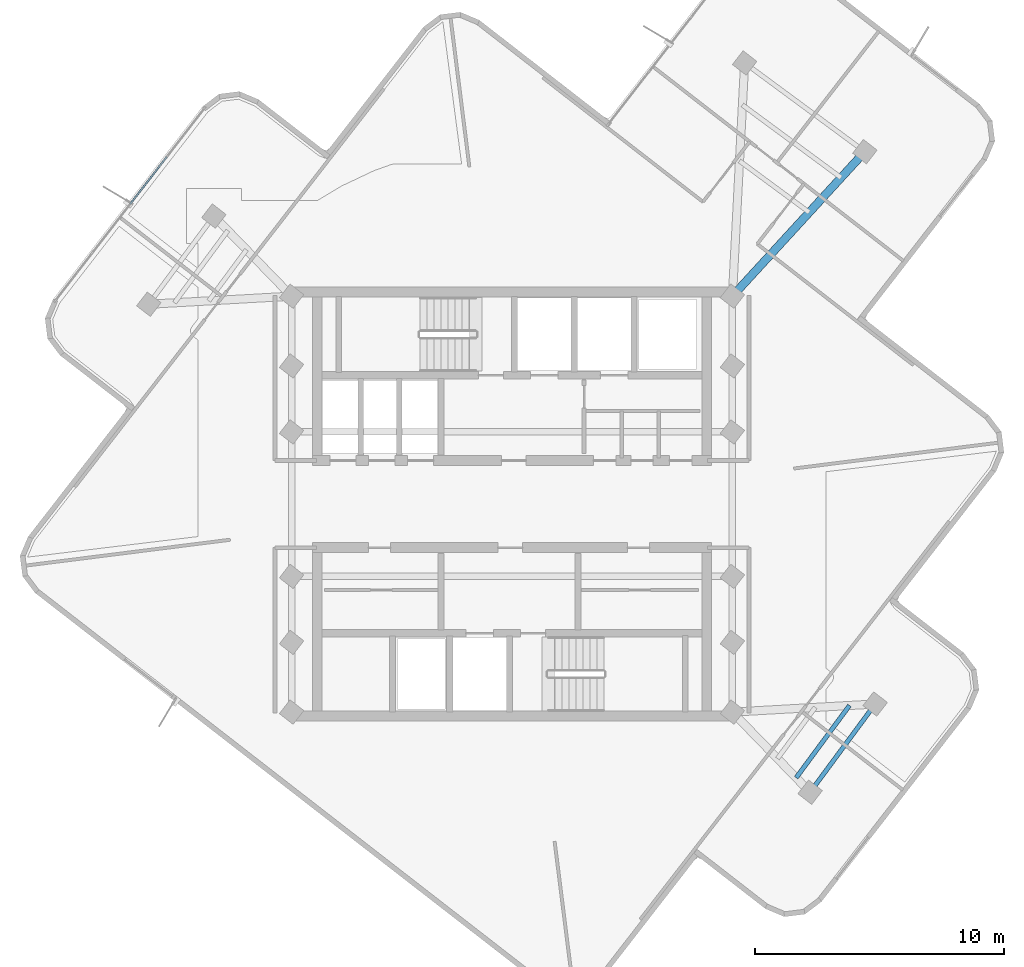
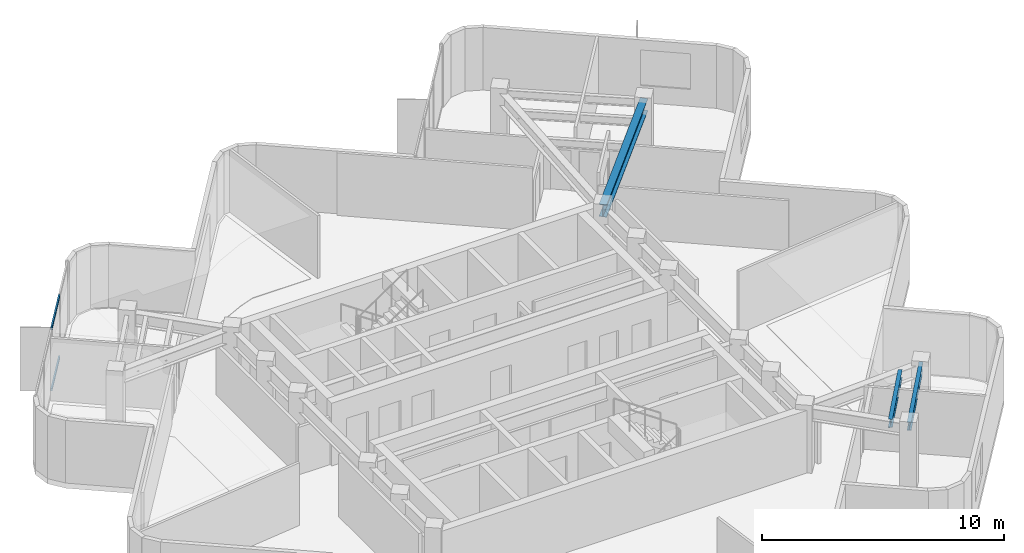
# One storey, part 3 of 10: 3 beams, 2 members, 1 element without a shape of its own.
"""IFC4 building model written with IfcOpenShell, lengths in metres."""

from ifc_helpers import new_model, si_unit, direction, frame, origin, origin_2d, place, context, subcontext, project, spatial, rectangle, i_section, extrude, material, layer, layer_set, material_profile, profile_set, type_object, element, aggregate, save


model = new_model("IFC4")

# Units and contexts
model_context = context("Model", 3, precision=1e-05, world=origin(), true_north=direction((0.0, 1.0)))
body_context = subcontext(model_context, "Body", "Model", "MODEL_VIEW")
ifc_project = project(units=[si_unit("LENGTHUNIT", "METRE"), si_unit("AREAUNIT", "SQUARE_METRE"), si_unit("VOLUMEUNIT", "CUBIC_METRE"), si_unit("PLANEANGLEUNIT", "RADIAN"), si_unit("MASSUNIT", "GRAM", prefix="KILO")], contexts=[model_context])

# Site, building, storey
site_placement = place(None, origin())
site = spatial("IfcSite", under=ifc_project, at=site_placement, CompositionType="ELEMENT")
building_placement = place(site_placement, origin())
building = spatial("IfcBuilding", under=site, at=building_placement, Name="Solmarez Civic Tower", CompositionType="ELEMENT")
storey_placement = place(building_placement, frame((0.0, 0.0, 261.179931640625)))
storey = spatial("IfcBuildingStorey", under=building, at=storey_placement, Name="L70", CompositionType="ELEMENT", Elevation=261.179931640625)

# Beams
ifc_material_1 = material(Name="Steel S355", Category="steel")
ifc_material_profile_1 = material_profile(ifc_material_1, i_section(OverallWidth=0.178955078125, OverallDepth=0.409912109375, WebThickness=0.0087890625, FlangeThickness=0.014404296875, at=origin_2d()), Name="W16X45")
ifc_profile_set_1 = profile_set([ifc_material_profile_1], Name="Steel S355")
beam_type_1 = type_object("IfcBeamType", Name="BM-JS-W16X45", PredefinedType="JOIST", material=ifc_profile_set_1)
beam_1_placement = place(storey_placement, frame((11.970947265625, -11.56591796875, 2.955078125), z_axis=(0.593730834471, 0.804663716219, 0.0), x_axis=(-0.804663716219, 0.593730834471, 0.0)))
element("IfcBeam", 1, at=beam_1_placement, inside=storey, type_object=beam_type_1, Name="L70 Secondary Floor Joist BM-L70-SA-T1", PredefinedType="JOIST", context=body_context, shape_type="SweptSolid", body=[
    extrude(i_section(OverallWidth=0.178955078125, OverallDepth=0.409912109375, WebThickness=0.0087890625, FlangeThickness=0.014404296875, at=origin_2d()), origin(), (0.0, 0.0, 1.0), 4.3994140625),
])
beam_2_placement = place(storey_placement, frame((11.408935546875, -10.987060546875, 2.955078125), z_axis=(0.593734433343, 0.804661060735, 0.0), x_axis=(-0.804661060735, 0.593734433343, 0.0)))
element("IfcBeam", 2, at=beam_2_placement, inside=storey, type_object=beam_type_1, Name="L70 Secondary Floor Joist JS-L70-SA-M12", PredefinedType="JOIST", context=body_context, shape_type="SweptSolid", body=[
    extrude(i_section(OverallWidth=0.178955078125, OverallDepth=0.409912109375, WebThickness=0.0087890625, FlangeThickness=0.014404296875, at=origin_2d()), origin(), (0.0, 0.0, 1.0), 3.60791015625),
])
ifc_material_profile_2 = material_profile(ifc_material_1, i_section(OverallWidth=0.327880859375, OverallDepth=0.6220703125, WebThickness=0.015380859375, FlangeThickness=0.0244140625, at=origin_2d()), Name="W24X131")
ifc_profile_set_2 = profile_set([ifc_material_profile_2], Name="Steel S355")
beam_type_2 = type_object("IfcBeamType", Name="BM-PR-W24X131", PredefinedType="BEAM", material=ifc_profile_set_2)
beam_3_placement = place(storey_placement, frame((8.85009765625, 8.35009765625, 2.84912109375), z_axis=(0.67574850583, 0.737132251953, 0.0), x_axis=(-0.737132251953, 0.67574850583, 0.0)))
element("IfcBeam", 3, at=beam_3_placement, inside=storey, type_object=beam_type_2, Name="L70 Primary Floor Beam BM-L70-EA-R1A", PredefinedType="BEAM", context=body_context, shape_type="SweptSolid", body=[
    extrude(i_section(OverallWidth=0.327880859375, OverallDepth=0.6220703125, WebThickness=0.015380859375, FlangeThickness=0.0244140625, at=origin_2d()), origin(), (0.0, 0.0, 1.0), 7.87109375),
])

# Curtain wall, members
ifc_material_2 = material(Name="Bronze Anodised Aluminium EN AW-6063 T6", Category="aluminium")
ifc_layer = layer(ifc_material_2, 0.1650390625)
ifc_layer_set = layer_set([ifc_layer], Name="Bronze Anodised Aluminium EN AW-6063 T6")
curtain_wall_type = type_object("IfcCurtainWallType", Name="CW-SYS-4", PredefinedType="NOTDEFINED", material=ifc_layer_set)
curtain_wall_placement = place(storey_placement, origin())
curtain_wall = element("IfcCurtainWall", 4, at=curtain_wall_placement, inside=storey, type_object=curtain_wall_type, Name="L70 Stick-Built Curtain Wall 1", PredefinedType="NOTDEFINED")
ifc_material_profile_3 = material_profile(ifc_material_2, rectangle(XDim=0.070068359375, YDim=0.139892578125, at=origin_2d()), Name="CWT-70X140")
ifc_profile_set_3 = profile_set([ifc_material_profile_3], Name="Bronze Anodised Aluminium EN AW-6063 T6")
member_type = type_object("IfcMemberType", Name="CWT-TYPE-1", PredefinedType="USERDEFINED", material=ifc_profile_set_3)
member_1_placement = place(storey_placement, frame((-15.32861328125, 12.05419921875, 0.03515625), z_axis=(0.612818324968, 0.79022382942, 0.0), x_axis=(-0.79022382942, 0.612818324968, 0.0)))
member_1 = element("IfcMember", 5, at=member_1_placement, type_object=member_type, Name="CWS4 transom 3.1", ObjectType="TRANSOM", PredefinedType="USERDEFINED", context=body_context, shape_type="SweptSolid", body=[
    extrude(rectangle(XDim=0.070068359375, YDim=0.139892578125, at=origin_2d()), origin(), (0.0, 0.0, 1.0), 2.39599609375),
])
member_2_placement = place(storey_placement, frame((-15.32861328125, 12.05419921875, 3.125), z_axis=(0.612818324968, 0.79022382942, 0.0), x_axis=(-0.79022382942, 0.612818324968, 0.0)))
member_2 = element("IfcMember", 6, at=member_2_placement, type_object=member_type, Name="CWS4 transom 3.2", ObjectType="TRANSOM", PredefinedType="USERDEFINED", context=body_context, shape_type="SweptSolid", body=[
    extrude(rectangle(XDim=0.070068359375, YDim=0.139892578125, at=origin_2d()), origin(), (0.0, 0.0, 1.0), 2.39599609375),
])
aggregate(curtain_wall, [member_1, member_2])

save(model, "model.ifc")
